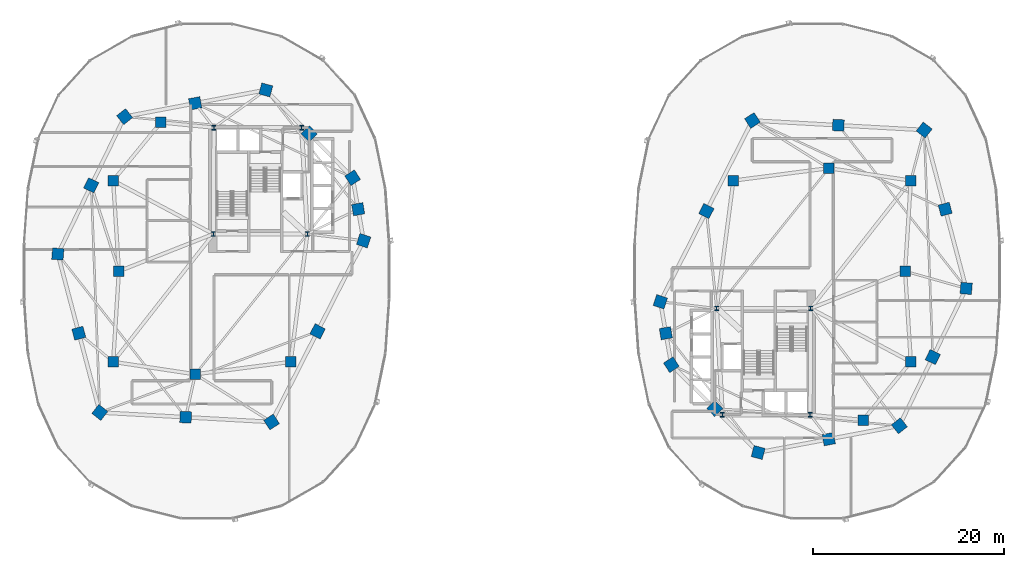
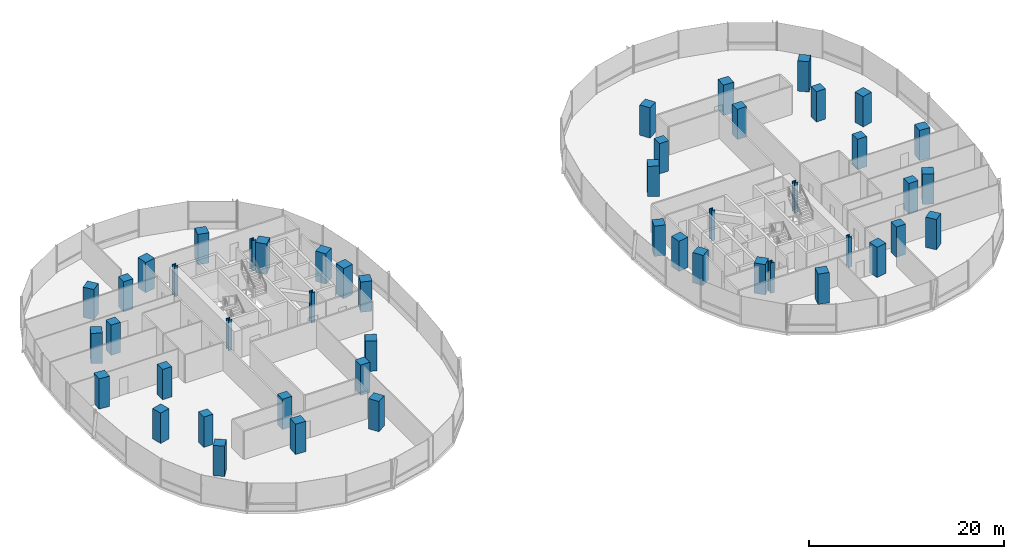
# One storey, part 1 of 21: 48 columns.
"""IFC4 building model written with IfcOpenShell, lengths in metres."""

from ifc_helpers import new_model, si_unit, direction, frame, origin, origin_2d, place, context, subcontext, project, spatial, rectangle, i_section, extrude, material, material_profile, profile_set, type_object, element, save


model = new_model("IFC4")

# Units and contexts
model_context = context("Model", 3, precision=1e-05, world=origin(), true_north=direction((0.0, 1.0)))
body_context = subcontext(model_context, "Body", "Model", "MODEL_VIEW")
ifc_project = project(units=[si_unit("LENGTHUNIT", "METRE"), si_unit("AREAUNIT", "SQUARE_METRE"), si_unit("VOLUMEUNIT", "CUBIC_METRE"), si_unit("PLANEANGLEUNIT", "RADIAN"), si_unit("MASSUNIT", "GRAM", prefix="KILO"), si_unit("THERMODYNAMICTEMPERATUREUNIT", "KELVIN"), si_unit("POWERUNIT", "WATT")], contexts=[model_context])

# Site, building, storey
site_placement = place(None, origin())
site = spatial("IfcSite", under=ifc_project, at=site_placement, CompositionType="ELEMENT")
building_placement = place(site_placement, origin())
building = spatial("IfcBuilding", under=site, at=building_placement, Name="Cundina Bronze Exchange", CompositionType="ELEMENT")
storey_placement = place(building_placement, frame((0.0, 0.0, 27.800048828125)))
storey = spatial("IfcBuildingStorey", under=building, at=storey_placement, Name="L06", CompositionType="ELEMENT", Elevation=27.800048828125)

# Columns
ifc_material_1 = material(Name="Steel ASTM A992 Grade 50", Category="steel")
ifc_material_profile_1 = material_profile(ifc_material_1, i_section(OverallWidth=0.431884765625, OverallDepth=0.498046875, WebThickness=0.0556640625, FlangeThickness=0.0888671875, FilletRadius=0.01806640625, at=origin_2d()), Name="W14X500", Category="steel")
ifc_profile_set_1 = profile_set([ifc_material_profile_1], Name="Steel ASTM A992 Grade 50")
column_type_1 = type_object("IfcColumnType", Name="COL-STL-W14A", PredefinedType="COLUMN", material=ifc_profile_set_1)
for number, where, z_axis, x_axis, name in (
    (1, (-31.300048828125, 3.89990234375, 0.0), (0.0, 0.0, 1.0), (1.0, 0.0, 0.0), "L06 Core Anchor Column W1"),
    (2, (-21.449951171875, 3.89990234375, 0.0), (0.0, 0.0, 1.0), (1.0, 0.0, 0.0), "L06 Core Anchor Column W2"),
    (3, (-22.050048828125, 15.050048828125, 0.0), (0.0, 0.0, 1.0), (1.0, 0.0, 0.0), "L06 Core Anchor Column W3"),
    (4, (-31.25, 15.050048828125, 0.0), (0.0, 0.0, 1.0), (1.0, 0.0, 0.0), "L06 Core Anchor Column W4"),
    (5, (31.300048828125, -3.89990234375, 0.0), (0.0, 0.0, 1.0), (1.0, 0.0, 0.0), "L06 Core Anchor Column E1"),
    (6, (21.449951171875, -3.89990234375, 0.0), (0.0, 0.0, 1.0), (1.0, 0.0, 0.0), "L06 Core Anchor Column E2"),
    (7, (22.050048828125, -15.050048828125, 0.0), (0.0, 0.0, 1.0), (1.0, 0.0, 0.0), "L06 Core Anchor Column E3"),
    (8, (31.25, -15.050048828125, 0.0), (0.0, 0.0, 1.0), (1.0, 0.0, 0.0), "L06 Core Anchor Column E4"),
):
    element("IfcColumn", number, at=place(storey_placement, frame(where, z_axis=z_axis, x_axis=x_axis)), inside=storey, type_object=column_type_1, Name=name, PredefinedType="COLUMN", context=body_context, shape_type="SweptSolid", body=[
        extrude(i_section(OverallWidth=0.431884765625, OverallDepth=0.498046875, WebThickness=0.0556640625, FlangeThickness=0.0888671875, FilletRadius=0.01806640625, at=origin_2d()), origin(), (0.0, 0.0, 1.0), 3.800048828125),
    ])
ifc_material_2 = material(Name="Concrete C60/75", Category="concrete")
ifc_material_profile_2 = material_profile(ifc_material_2, rectangle(XDim=1.199951171875, YDim=1.199951171875, at=origin_2d()), Name="RC1200X1200", Category="concrete")
ifc_profile_set_2 = profile_set([ifc_material_profile_2], Name="Concrete C60/75")
column_type_2 = type_object("IfcColumnType", Name="COL-Z1-1200", PredefinedType="COLUMN", material=ifc_profile_set_2)
for number, where, z_axis, x_axis, name in (
    (9, (-15.550048828125, 3.199951171875, 0.0), (0.0, 0.0, 1.0), (0.315152163383, 0.949041155016, 0.0), "L06 W Perimeter Column 00"),
    (10, (-16.125, 6.5, 0.0), (0.0, 0.0, 1.0), (-0.171585221787, 0.985169280715, 0.0), "L06 W Perimeter Column 01"),
    (11, (-16.699951171875, 9.800048828125, 0.0), (0.0, 0.0, 1.0), (-0.544199833495, 0.838955625301, 0.0), "L06 W Perimeter Column 02"),
    (12, (-21.25, 14.39990234375, 0.0), (0.0, 0.0, 1.0), (-0.703270634186, 0.710922228581, 0.0), "L06 W Perimeter Column 03"),
    (13, (-25.800048828125, 19.0, 0.0), (0.0, 0.0, 1.0), (-0.965970984022, 0.258650455301, 0.0), "L06 W Perimeter Column 04"),
    (14, (-33.199951171875, 17.60009765625, 0.0), (0.0, 0.0, 1.0), (-0.98258037664, -0.185838110843, 0.0), "L06 W Perimeter Column 05"),
    (15, (-40.60009765625, 16.199951171875, 0.0), (0.0, 0.0, 1.0), (-0.785100778485, -0.619368038909, 0.0), "L06 W Perimeter Column 06"),
    (16, (-44.10009765625, 9.0, 0.0), (0.0, 0.0, 1.0), (-0.437115766651, -0.899405251566, 0.0), "L06 W Perimeter Column 07"),
    (17, (-47.60009765625, 1.800048828125, 0.0), (0.0, 0.0, 1.0), (-0.083503921245, -0.996507448611, 0.0), "L06 W Perimeter Column 08"),
    (18, (-45.39990234375, -6.5, 0.0), (0.0, 0.0, 1.0), (0.256289373133, -0.966600102017, 0.0), "L06 W Perimeter Column 09"),
    (19, (-43.199951171875, -14.800048828125, 0.0), (0.0, 0.0, 1.0), (0.786288432137, -0.61785961309, 0.0), "L06 W Perimeter Column 10"),
    (20, (-34.199951171875, -15.300048828125, 0.0), (0.0, 0.0, 1.0), (0.998460188734, -0.055472980025, 0.0), "L06 W Perimeter Column 11"),
    (21, (-25.199951171875, -15.800048828125, 0.0), (0.0, 0.0, 1.0), (0.838099763533, 0.545516989988, 0.0), "L06 W Perimeter Column 12"),
    (22, (-20.375, -6.300048828125, 0.0), (0.0, 0.0, 1.0), (0.452901591366, 0.891560513111, 0.0), "L06 W Perimeter Column 13"),
    (23, (15.550048828125, -3.199951171875, 0.0), (0.0, 0.0, 1.0), (-0.315152163383, -0.949041155016, 0.0), "L06 E Perimeter Column 00"),
    (24, (16.125, -6.5, 0.0), (0.0, 0.0, 1.0), (0.171585221787, -0.985169280715, 0.0), "L06 E Perimeter Column 01"),
    (25, (16.699951171875, -9.800048828125, 0.0), (0.0, 0.0, 1.0), (0.544199833495, -0.838955625301, 0.0), "L06 E Perimeter Column 02"),
    (26, (21.25, -14.39990234375, 0.0), (0.0, 0.0, 1.0), (0.703270634186, -0.710922228581, 0.0), "L06 E Perimeter Column 03"),
    (27, (25.800048828125, -19.0, 0.0), (0.0, 0.0, 1.0), (0.965970984022, -0.258650455301, 0.0), "L06 E Perimeter Column 04"),
    (28, (33.199951171875, -17.60009765625, 0.0), (0.0, 0.0, 1.0), (0.98258037664, 0.185838110843, 0.0), "L06 E Perimeter Column 05"),
    (29, (40.60009765625, -16.199951171875, 0.0), (0.0, 0.0, 1.0), (0.785100778485, 0.619368038909, 0.0), "L06 E Perimeter Column 06"),
    (30, (44.10009765625, -9.0, 0.0), (0.0, 0.0, 1.0), (0.437115766651, 0.899405251566, 0.0), "L06 E Perimeter Column 07"),
    (31, (47.60009765625, -1.800048828125, 0.0), (0.0, 0.0, 1.0), (0.083503921245, 0.996507448611, 0.0), "L06 E Perimeter Column 08"),
    (32, (45.39990234375, 6.5, 0.0), (0.0, 0.0, 1.0), (-0.256289373133, 0.966600102017, 0.0), "L06 E Perimeter Column 09"),
    (33, (43.199951171875, 14.800048828125, 0.0), (0.0, 0.0, 1.0), (-0.786288432137, 0.61785961309, 0.0), "L06 E Perimeter Column 10"),
    (34, (34.199951171875, 15.300048828125, 0.0), (0.0, 0.0, 1.0), (-0.998460188734, 0.055472980025, 0.0), "L06 E Perimeter Column 11"),
    (35, (25.199951171875, 15.800048828125, 0.0), (0.0, 0.0, 1.0), (-0.838099763533, -0.545516989988, 0.0), "L06 E Perimeter Column 12"),
    (36, (20.375, 6.300048828125, 0.0), (0.0, 0.0, 1.0), (-0.452901591366, -0.891560513111, 0.0), "L06 E Perimeter Column 13"),
):
    element("IfcColumn", number, at=place(storey_placement, frame(where, z_axis=z_axis, x_axis=x_axis)), inside=storey, type_object=column_type_2, Name=name, PredefinedType="COLUMN", context=body_context, shape_type="SweptSolid", body=[
        extrude(rectangle(XDim=1.199951171875, YDim=1.199951171875, at=origin_2d()), origin(), (0.0, 0.0, 1.0), 3.800048828125),
    ])
ifc_material_profile_3 = material_profile(ifc_material_2, rectangle(XDim=1.10009765625, YDim=1.10009765625, at=origin_2d()), Name="RC1100X1100", Category="concrete")
ifc_profile_set_3 = profile_set([ifc_material_profile_3], Name="Concrete C60/75")
column_type_3 = type_object("IfcColumnType", Name="COL-Z2-1100", PredefinedType="COLUMN", material=ifc_profile_set_3)
for number, where, z_axis, x_axis, name in (
    (37, (-41.199951171875, 0.0, 0.0), (0.0, 0.0, 1.0), (1.0, 0.0, 0.0), "L06 W Inner Ring Column 1"),
    (38, (-41.800048828125, 9.5, 0.0), (0.0, 0.0, 1.0), (1.0, 0.0, 0.0), "L06 W Inner Ring Column 2"),
    (39, (-36.800048828125, 15.60009765625, 0.0), (0.0, 0.0, 1.0), (1.0, 0.0, 0.0), "L06 W Inner Ring Column 3"),
    (40, (-41.800048828125, -9.5, 0.0), (0.0, 0.0, 1.0), (1.0, 0.0, 0.0), "L06 W Inner Ring Column 4"),
    (41, (-33.199951171875, -10.800048828125, 0.0), (0.0, 0.0, 1.0), (1.0, 0.0, 0.0), "L06 W Inner Ring Column 5"),
    (42, (-23.199951171875, -9.5, 0.0), (0.0, 0.0, 1.0), (1.0, 0.0, 0.0), "L06 W Inner Ring Column 6"),
    (43, (41.199951171875, 0.0, 0.0), (0.0, 0.0, 1.0), (1.0, 0.0, 0.0), "L06 E Inner Ring Column 1"),
    (44, (41.800048828125, -9.5, 0.0), (0.0, 0.0, 1.0), (1.0, 0.0, 0.0), "L06 E Inner Ring Column 2"),
    (45, (36.800048828125, -15.60009765625, 0.0), (0.0, 0.0, 1.0), (1.0, 0.0, 0.0), "L06 E Inner Ring Column 3"),
    (46, (41.800048828125, 9.5, 0.0), (0.0, 0.0, 1.0), (1.0, 0.0, 0.0), "L06 E Inner Ring Column 4"),
    (47, (33.199951171875, 10.800048828125, 0.0), (0.0, 0.0, 1.0), (1.0, 0.0, 0.0), "L06 E Inner Ring Column 5"),
    (48, (23.199951171875, 9.5, 0.0), (0.0, 0.0, 1.0), (1.0, 0.0, 0.0), "L06 E Inner Ring Column 6"),
):
    element("IfcColumn", number, at=place(storey_placement, frame(where, z_axis=z_axis, x_axis=x_axis)), inside=storey, type_object=column_type_3, Name=name, PredefinedType="COLUMN", context=body_context, shape_type="SweptSolid", body=[
        extrude(rectangle(XDim=1.10009765625, YDim=1.10009765625, at=origin_2d()), origin(), (0.0, 0.0, 1.0), 3.800048828125),
    ])

save(model, "model.ifc")
